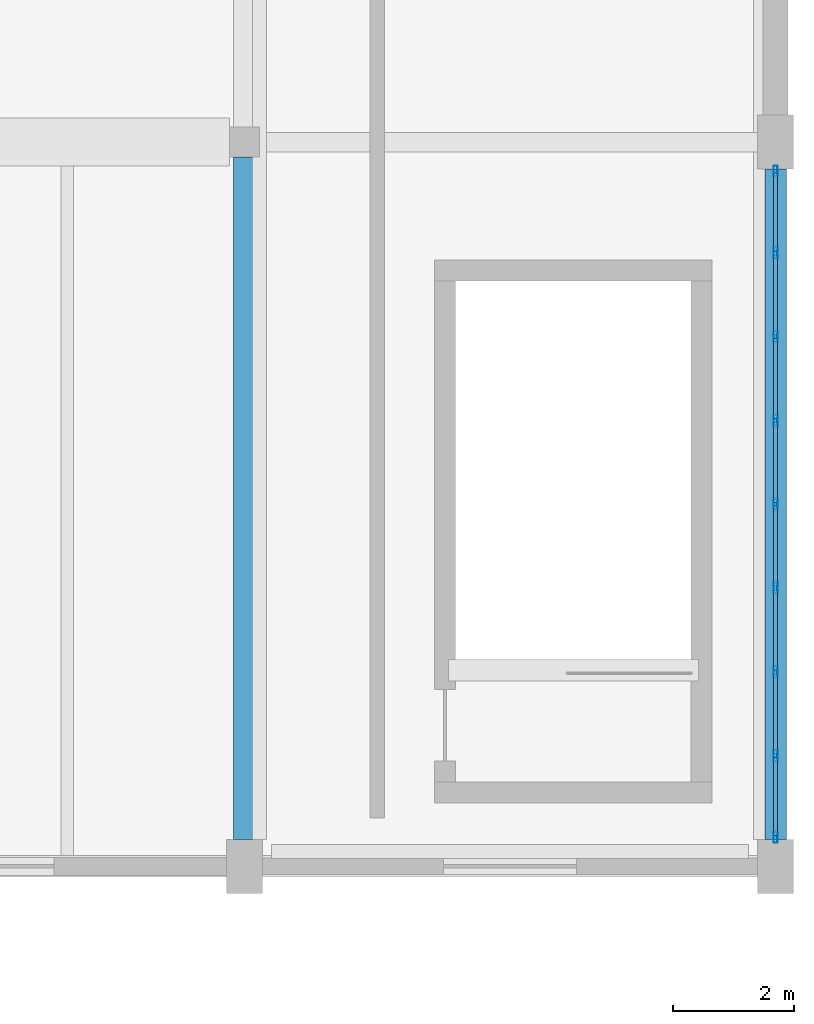
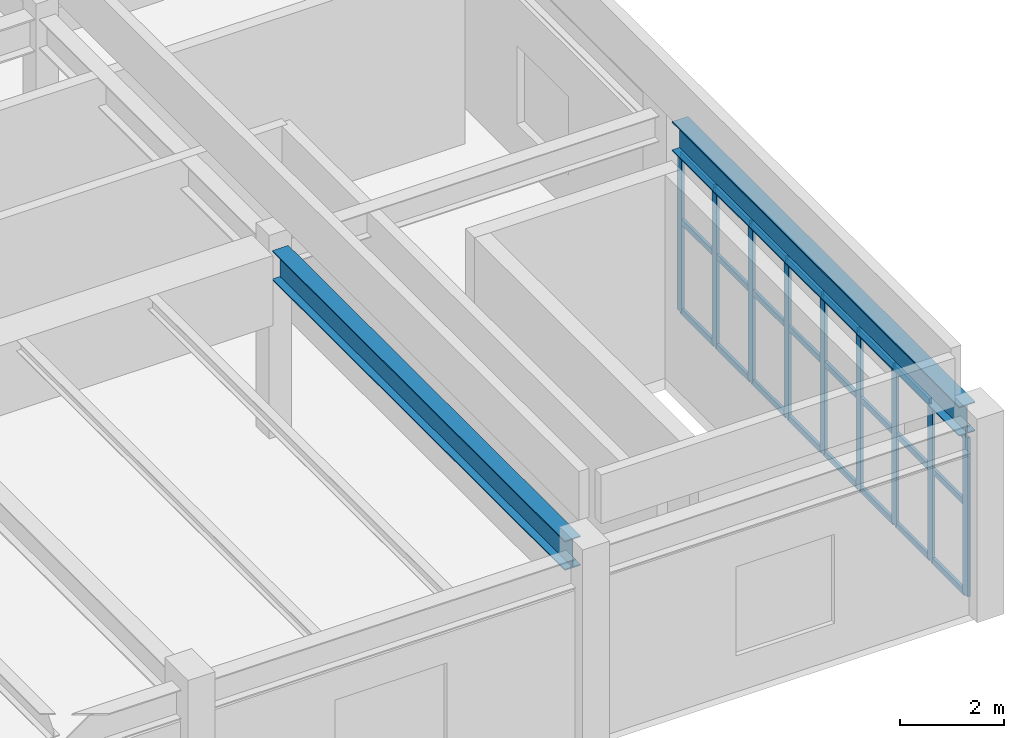
# One storey, part 44 of 80: 33 members, 2 beams, 1 element without a shape of its own.
"""IFC4 building model written with IfcOpenShell, lengths in metres."""

from ifc_helpers import new_model, si_unit, direction, frame, origin, origin_2d, place, context, subcontext, project, spatial, hollow_rectangle, i_section, extrude, material, layer, layer_set, material_profile, profile_set, type_object, element, aggregate, save


model = new_model("IFC4")

# Units and contexts
model_context = context("Model", 3, precision=1e-05, world=origin(), true_north=direction((0.0, 1.0)))
body_context = subcontext(model_context, "Body", "Model", "MODEL_VIEW")
ifc_project = project(units=[si_unit("LENGTHUNIT", "METRE"), si_unit("AREAUNIT", "SQUARE_METRE"), si_unit("VOLUMEUNIT", "CUBIC_METRE"), si_unit("PLANEANGLEUNIT", "RADIAN"), si_unit("MASSUNIT", "GRAM", prefix="KILO")], contexts=[model_context])

# Site, building, storey
site_placement = place(None, origin())
site = spatial("IfcSite", under=ifc_project, at=site_placement, CompositionType="ELEMENT")
building_placement = place(site_placement, origin())
building = spatial("IfcBuilding", under=site, at=building_placement, Name="Vaelkrest Opera House", CompositionType="ELEMENT")
storey_placement = place(building_placement, frame((0.0, 0.0, 15.0)))
storey = spatial("IfcBuildingStorey", under=building, at=storey_placement, Name="L03", CompositionType="ELEMENT", Elevation=15.0)

# Beam
ifc_material_1 = material(Name="Steel A992 Gr50", Category="steel")
ifc_material_profile_1 = material_profile(ifc_material_1, i_section(OverallWidth=0.35498046875, OverallDepth=0.695068359375, WebThickness=0.015380859375, FlangeThickness=0.02490234375, at=origin_2d()), Name="W27X146")
ifc_profile_set_1 = profile_set([ifc_material_profile_1], Name="Steel A992 Gr50")
beam_type_1 = type_object("IfcBeamType", Name="B10", PredefinedType="BEAM", material=ifc_profile_set_1)
beam_1_placement = place(storey_placement, frame((68.800048828125, -19.35009765625, 4.072509765625), z_axis=(0.0, 1.0, 0.0), x_axis=(-1.0, 0.0, 0.0)))
element("IfcBeam", 1, at=beam_1_placement, inside=storey, type_object=beam_type_1, Name="Beam BM-V4-L03-2377", PredefinedType="BEAM", context=body_context, shape_type="SweptSolid", body=[
    extrude(i_section(OverallWidth=0.35498046875, OverallDepth=0.695068359375, WebThickness=0.015380859375, FlangeThickness=0.02490234375, at=origin_2d()), origin(), (0.0, 0.0, 1.0), 11.300048828125),
])

# Curtain wall, members
ifc_material_2 = material(Name="Dark bronze anodized aluminium", Category="aluminium")
ifc_layer = layer(ifc_material_2, 0.179931640625)
ifc_layer_set = layer_set([ifc_layer], Name="Dark bronze anodized aluminium")
curtain_wall_type = type_object("IfcCurtainWallType", Name="CW01", PredefinedType="NOTDEFINED", material=ifc_layer_set)
curtain_wall_placement = place(storey_placement, origin())
curtain_wall = element("IfcCurtainWall", 2, at=curtain_wall_placement, inside=storey, type_object=curtain_wall_type, Name="Curtain wall CW-L03-169", PredefinedType="NOTDEFINED")
ifc_material_profile_2 = material_profile(ifc_material_2, hollow_rectangle(XDim=0.06494140625, YDim=0.179931640625, WallThickness=0.00390625, at=origin_2d()), Name="CWM65X180")
ifc_profile_set_2 = profile_set([ifc_material_profile_2], Name="Dark bronze anodized aluminium")
member_type_1 = type_object("IfcMemberType", Name="CWM01", PredefinedType="MULLION", material=ifc_profile_set_2)
member_1_placement = place(storey_placement, frame((77.60009765625, -8.280517578125, 0.0), z_axis=(0.0, 0.0, 1.0), x_axis=(1.0, 0.0, 0.0)))
member_1 = element("IfcMember", 3, at=member_1_placement, type_object=member_type_1, Name="CW01 mullion 1", PredefinedType="MULLION", context=body_context, shape_type="SweptSolid", body=[
    extrude(hollow_rectangle(XDim=0.06494140625, YDim=0.179931640625, WallThickness=0.00390625, at=origin_2d()), origin(), (0.0, 0.0, 1.0), 3.7451171875),
])
member_2_placement = place(storey_placement, frame((77.60009765625, -9.635986328125, 0.0), z_axis=(0.0, 0.0, 1.0), x_axis=(1.0, 0.0, 0.0)))
member_2 = element("IfcMember", 4, at=member_2_placement, type_object=member_type_1, Name="CW01 mullion 2", PredefinedType="MULLION", context=body_context, shape_type="SweptSolid", body=[
    extrude(hollow_rectangle(XDim=0.06494140625, YDim=0.179931640625, WallThickness=0.00390625, at=origin_2d()), origin(), (0.0, 0.0, 1.0), 3.7451171875),
])
member_3_placement = place(storey_placement, frame((77.60009765625, -11.02392578125, 0.0), z_axis=(0.0, 0.0, 1.0), x_axis=(1.0, 0.0, 0.0)))
member_3 = element("IfcMember", 5, at=member_3_placement, type_object=member_type_1, Name="CW01 mullion 3", PredefinedType="MULLION", context=body_context, shape_type="SweptSolid", body=[
    extrude(hollow_rectangle(XDim=0.06494140625, YDim=0.179931640625, WallThickness=0.00390625, at=origin_2d()), origin(), (0.0, 0.0, 1.0), 3.7451171875),
])
member_4_placement = place(storey_placement, frame((77.60009765625, -12.412109375, 0.0), z_axis=(0.0, 0.0, 1.0), x_axis=(1.0, 0.0, 0.0)))
member_4 = element("IfcMember", 6, at=member_4_placement, type_object=member_type_1, Name="CW01 mullion 4", PredefinedType="MULLION", context=body_context, shape_type="SweptSolid", body=[
    extrude(hollow_rectangle(XDim=0.06494140625, YDim=0.179931640625, WallThickness=0.00390625, at=origin_2d()), origin(), (0.0, 0.0, 1.0), 3.7451171875),
])
member_5_placement = place(storey_placement, frame((77.60009765625, -13.800048828125, 0.0), z_axis=(0.0, 0.0, 1.0), x_axis=(1.0, 0.0, 0.0)))
member_5 = element("IfcMember", 7, at=member_5_placement, type_object=member_type_1, Name="CW01 mullion 5", PredefinedType="MULLION", context=body_context, shape_type="SweptSolid", body=[
    extrude(hollow_rectangle(XDim=0.06494140625, YDim=0.179931640625, WallThickness=0.00390625, at=origin_2d()), origin(), (0.0, 0.0, 1.0), 3.7451171875),
])
member_6_placement = place(storey_placement, frame((77.60009765625, -15.18798828125, 0.0), z_axis=(0.0, 0.0, 1.0), x_axis=(1.0, 0.0, 0.0)))
member_6 = element("IfcMember", 8, at=member_6_placement, type_object=member_type_1, Name="CW01 mullion 6", PredefinedType="MULLION", context=body_context, shape_type="SweptSolid", body=[
    extrude(hollow_rectangle(XDim=0.06494140625, YDim=0.179931640625, WallThickness=0.00390625, at=origin_2d()), origin(), (0.0, 0.0, 1.0), 3.7451171875),
])
member_7_placement = place(storey_placement, frame((77.60009765625, -16.575927734375, 0.0), z_axis=(0.0, 0.0, 1.0), x_axis=(1.0, 0.0, 0.0)))
member_7 = element("IfcMember", 9, at=member_7_placement, type_object=member_type_1, Name="CW01 mullion 7", PredefinedType="MULLION", context=body_context, shape_type="SweptSolid", body=[
    extrude(hollow_rectangle(XDim=0.06494140625, YDim=0.179931640625, WallThickness=0.00390625, at=origin_2d()), origin(), (0.0, 0.0, 1.0), 3.7451171875),
])
member_8_placement = place(storey_placement, frame((77.60009765625, -17.964111328125, 0.0), z_axis=(0.0, 0.0, 1.0), x_axis=(1.0, 0.0, 0.0)))
member_8 = element("IfcMember", 10, at=member_8_placement, type_object=member_type_1, Name="CW01 mullion 8", PredefinedType="MULLION", context=body_context, shape_type="SweptSolid", body=[
    extrude(hollow_rectangle(XDim=0.06494140625, YDim=0.179931640625, WallThickness=0.00390625, at=origin_2d()), origin(), (0.0, 0.0, 1.0), 3.7451171875),
])
member_9_placement = place(storey_placement, frame((77.60009765625, -19.319580078125, 0.0), z_axis=(0.0, 0.0, 1.0), x_axis=(1.0, 0.0, 0.0)))
member_9 = element("IfcMember", 11, at=member_9_placement, type_object=member_type_1, Name="CW01 mullion 9", PredefinedType="MULLION", context=body_context, shape_type="SweptSolid", body=[
    extrude(hollow_rectangle(XDim=0.06494140625, YDim=0.179931640625, WallThickness=0.00390625, at=origin_2d()), origin(), (0.0, 0.0, 1.0), 3.7451171875),
])
ifc_material_profile_3 = material_profile(ifc_material_2, hollow_rectangle(XDim=0.06494140625, YDim=0.139892578125, WallThickness=0.00390625, at=origin_2d()), Name="CWT65X140")
ifc_profile_set_3 = profile_set([ifc_material_profile_3], Name="Dark bronze anodized aluminium")
member_type_2 = type_object("IfcMemberType", Name="CWT01", PredefinedType="USERDEFINED", material=ifc_profile_set_3)
member_10_placement = place(storey_placement, frame((77.60009765625, -8.31298828125, 0.032470703125), z_axis=(0.0, -1.0, 0.0), x_axis=(1.0, 0.0, 0.0)))
member_10 = element("IfcMember", 12, at=member_10_placement, type_object=member_type_2, Name="CW01 transom 1.1", ObjectType="TRANSOM", PredefinedType="USERDEFINED", context=body_context, shape_type="SweptSolid", body=[
    extrude(hollow_rectangle(XDim=0.06494140625, YDim=0.139892578125, WallThickness=0.00390625, at=origin_2d()), origin(), (0.0, 0.0, 1.0), 1.29052734375),
])
member_11_placement = place(storey_placement, frame((77.60009765625, -8.31298828125, 2.14990234375), z_axis=(0.0, -1.0, 0.0), x_axis=(1.0, 0.0, 0.0)))
member_11 = element("IfcMember", 13, at=member_11_placement, type_object=member_type_2, Name="CW01 transom 1.2", ObjectType="TRANSOM", PredefinedType="USERDEFINED", context=body_context, shape_type="SweptSolid", body=[
    extrude(hollow_rectangle(XDim=0.06494140625, YDim=0.139892578125, WallThickness=0.00390625, at=origin_2d()), origin(), (0.0, 0.0, 1.0), 1.29052734375),
])
member_12_placement = place(storey_placement, frame((77.60009765625, -8.31298828125, 3.71240234375), z_axis=(0.0, -1.0, 0.0), x_axis=(1.0, 0.0, 0.0)))
member_12 = element("IfcMember", 14, at=member_12_placement, type_object=member_type_2, Name="CW01 transom 1.3", ObjectType="TRANSOM", PredefinedType="USERDEFINED", context=body_context, shape_type="SweptSolid", body=[
    extrude(hollow_rectangle(XDim=0.06494140625, YDim=0.139892578125, WallThickness=0.00390625, at=origin_2d()), origin(), (0.0, 0.0, 1.0), 1.29052734375),
])
member_13_placement = place(storey_placement, frame((77.60009765625, -9.66845703125, 0.032470703125), z_axis=(0.0, -1.0, 0.0), x_axis=(1.0, 0.0, 0.0)))
member_13 = element("IfcMember", 15, at=member_13_placement, type_object=member_type_2, Name="CW01 transom 2.1", ObjectType="TRANSOM", PredefinedType="USERDEFINED", context=body_context, shape_type="SweptSolid", body=[
    extrude(hollow_rectangle(XDim=0.06494140625, YDim=0.139892578125, WallThickness=0.00390625, at=origin_2d()), origin(), (0.0, 0.0, 1.0), 1.322998046875),
])
member_14_placement = place(storey_placement, frame((77.60009765625, -9.66845703125, 2.14990234375), z_axis=(0.0, -1.0, 0.0), x_axis=(1.0, 0.0, 0.0)))
member_14 = element("IfcMember", 16, at=member_14_placement, type_object=member_type_2, Name="CW01 transom 2.2", ObjectType="TRANSOM", PredefinedType="USERDEFINED", context=body_context, shape_type="SweptSolid", body=[
    extrude(hollow_rectangle(XDim=0.06494140625, YDim=0.139892578125, WallThickness=0.00390625, at=origin_2d()), origin(), (0.0, 0.0, 1.0), 1.322998046875),
])
member_15_placement = place(storey_placement, frame((77.60009765625, -9.66845703125, 3.71240234375), z_axis=(0.0, -1.0, 0.0), x_axis=(1.0, 0.0, 0.0)))
member_15 = element("IfcMember", 17, at=member_15_placement, type_object=member_type_2, Name="CW01 transom 2.3", ObjectType="TRANSOM", PredefinedType="USERDEFINED", context=body_context, shape_type="SweptSolid", body=[
    extrude(hollow_rectangle(XDim=0.06494140625, YDim=0.139892578125, WallThickness=0.00390625, at=origin_2d()), origin(), (0.0, 0.0, 1.0), 1.322998046875),
])
member_16_placement = place(storey_placement, frame((77.60009765625, -11.056396484375, 0.032470703125), z_axis=(0.0, -1.0, 0.0), x_axis=(1.0, 0.0, 0.0)))
member_16 = element("IfcMember", 18, at=member_16_placement, type_object=member_type_2, Name="CW01 transom 3.1", ObjectType="TRANSOM", PredefinedType="USERDEFINED", context=body_context, shape_type="SweptSolid", body=[
    extrude(hollow_rectangle(XDim=0.06494140625, YDim=0.139892578125, WallThickness=0.00390625, at=origin_2d()), origin(), (0.0, 0.0, 1.0), 1.322998046875),
])
member_17_placement = place(storey_placement, frame((77.60009765625, -11.056396484375, 2.14990234375), z_axis=(0.0, -1.0, 0.0), x_axis=(1.0, 0.0, 0.0)))
member_17 = element("IfcMember", 19, at=member_17_placement, type_object=member_type_2, Name="CW01 transom 3.2", ObjectType="TRANSOM", PredefinedType="USERDEFINED", context=body_context, shape_type="SweptSolid", body=[
    extrude(hollow_rectangle(XDim=0.06494140625, YDim=0.139892578125, WallThickness=0.00390625, at=origin_2d()), origin(), (0.0, 0.0, 1.0), 1.322998046875),
])
member_18_placement = place(storey_placement, frame((77.60009765625, -11.056396484375, 3.71240234375), z_axis=(0.0, -1.0, 0.0), x_axis=(1.0, 0.0, 0.0)))
member_18 = element("IfcMember", 20, at=member_18_placement, type_object=member_type_2, Name="CW01 transom 3.3", ObjectType="TRANSOM", PredefinedType="USERDEFINED", context=body_context, shape_type="SweptSolid", body=[
    extrude(hollow_rectangle(XDim=0.06494140625, YDim=0.139892578125, WallThickness=0.00390625, at=origin_2d()), origin(), (0.0, 0.0, 1.0), 1.322998046875),
])
member_19_placement = place(storey_placement, frame((77.60009765625, -12.444580078125, 0.032470703125), z_axis=(0.0, -1.0, 0.0), x_axis=(1.0, 0.0, 0.0)))
member_19 = element("IfcMember", 21, at=member_19_placement, type_object=member_type_2, Name="CW01 transom 4.1", ObjectType="TRANSOM", PredefinedType="USERDEFINED", context=body_context, shape_type="SweptSolid", body=[
    extrude(hollow_rectangle(XDim=0.06494140625, YDim=0.139892578125, WallThickness=0.00390625, at=origin_2d()), origin(), (0.0, 0.0, 1.0), 1.322998046875),
])
member_20_placement = place(storey_placement, frame((77.60009765625, -12.444580078125, 2.14990234375), z_axis=(0.0, -1.0, 0.0), x_axis=(1.0, 0.0, 0.0)))
member_20 = element("IfcMember", 22, at=member_20_placement, type_object=member_type_2, Name="CW01 transom 4.2", ObjectType="TRANSOM", PredefinedType="USERDEFINED", context=body_context, shape_type="SweptSolid", body=[
    extrude(hollow_rectangle(XDim=0.06494140625, YDim=0.139892578125, WallThickness=0.00390625, at=origin_2d()), origin(), (0.0, 0.0, 1.0), 1.322998046875),
])
member_21_placement = place(storey_placement, frame((77.60009765625, -12.444580078125, 3.71240234375), z_axis=(0.0, -1.0, 0.0), x_axis=(1.0, 0.0, 0.0)))
member_21 = element("IfcMember", 23, at=member_21_placement, type_object=member_type_2, Name="CW01 transom 4.3", ObjectType="TRANSOM", PredefinedType="USERDEFINED", context=body_context, shape_type="SweptSolid", body=[
    extrude(hollow_rectangle(XDim=0.06494140625, YDim=0.139892578125, WallThickness=0.00390625, at=origin_2d()), origin(), (0.0, 0.0, 1.0), 1.322998046875),
])
member_22_placement = place(storey_placement, frame((77.60009765625, -13.83251953125, 0.032470703125), z_axis=(0.0, -1.0, 0.0), x_axis=(1.0, 0.0, 0.0)))
member_22 = element("IfcMember", 24, at=member_22_placement, type_object=member_type_2, Name="CW01 transom 5.1", ObjectType="TRANSOM", PredefinedType="USERDEFINED", context=body_context, shape_type="SweptSolid", body=[
    extrude(hollow_rectangle(XDim=0.06494140625, YDim=0.139892578125, WallThickness=0.00390625, at=origin_2d()), origin(), (0.0, 0.0, 1.0), 1.322998046875),
])
member_23_placement = place(storey_placement, frame((77.60009765625, -13.83251953125, 2.14990234375), z_axis=(0.0, -1.0, 0.0), x_axis=(1.0, 0.0, 0.0)))
member_23 = element("IfcMember", 25, at=member_23_placement, type_object=member_type_2, Name="CW01 transom 5.2", ObjectType="TRANSOM", PredefinedType="USERDEFINED", context=body_context, shape_type="SweptSolid", body=[
    extrude(hollow_rectangle(XDim=0.06494140625, YDim=0.139892578125, WallThickness=0.00390625, at=origin_2d()), origin(), (0.0, 0.0, 1.0), 1.322998046875),
])
member_24_placement = place(storey_placement, frame((77.60009765625, -13.83251953125, 3.71240234375), z_axis=(0.0, -1.0, 0.0), x_axis=(1.0, 0.0, 0.0)))
member_24 = element("IfcMember", 26, at=member_24_placement, type_object=member_type_2, Name="CW01 transom 5.3", ObjectType="TRANSOM", PredefinedType="USERDEFINED", context=body_context, shape_type="SweptSolid", body=[
    extrude(hollow_rectangle(XDim=0.06494140625, YDim=0.139892578125, WallThickness=0.00390625, at=origin_2d()), origin(), (0.0, 0.0, 1.0), 1.322998046875),
])
member_25_placement = place(storey_placement, frame((77.60009765625, -15.220458984375, 0.032470703125), z_axis=(0.0, -1.0, 0.0), x_axis=(1.0, 0.0, 0.0)))
member_25 = element("IfcMember", 27, at=member_25_placement, type_object=member_type_2, Name="CW01 transom 6.1", ObjectType="TRANSOM", PredefinedType="USERDEFINED", context=body_context, shape_type="SweptSolid", body=[
    extrude(hollow_rectangle(XDim=0.06494140625, YDim=0.139892578125, WallThickness=0.00390625, at=origin_2d()), origin(), (0.0, 0.0, 1.0), 1.322998046875),
])
member_26_placement = place(storey_placement, frame((77.60009765625, -15.220458984375, 2.14990234375), z_axis=(0.0, -1.0, 0.0), x_axis=(1.0, 0.0, 0.0)))
member_26 = element("IfcMember", 28, at=member_26_placement, type_object=member_type_2, Name="CW01 transom 6.2", ObjectType="TRANSOM", PredefinedType="USERDEFINED", context=body_context, shape_type="SweptSolid", body=[
    extrude(hollow_rectangle(XDim=0.06494140625, YDim=0.139892578125, WallThickness=0.00390625, at=origin_2d()), origin(), (0.0, 0.0, 1.0), 1.322998046875),
])
member_27_placement = place(storey_placement, frame((77.60009765625, -15.220458984375, 3.71240234375), z_axis=(0.0, -1.0, 0.0), x_axis=(1.0, 0.0, 0.0)))
member_27 = element("IfcMember", 29, at=member_27_placement, type_object=member_type_2, Name="CW01 transom 6.3", ObjectType="TRANSOM", PredefinedType="USERDEFINED", context=body_context, shape_type="SweptSolid", body=[
    extrude(hollow_rectangle(XDim=0.06494140625, YDim=0.139892578125, WallThickness=0.00390625, at=origin_2d()), origin(), (0.0, 0.0, 1.0), 1.322998046875),
])
member_28_placement = place(storey_placement, frame((77.60009765625, -16.6083984375, 0.032470703125), z_axis=(0.0, -1.0, 0.0), x_axis=(1.0, 0.0, 0.0)))
member_28 = element("IfcMember", 30, at=member_28_placement, type_object=member_type_2, Name="CW01 transom 7.1", ObjectType="TRANSOM", PredefinedType="USERDEFINED", context=body_context, shape_type="SweptSolid", body=[
    extrude(hollow_rectangle(XDim=0.06494140625, YDim=0.139892578125, WallThickness=0.00390625, at=origin_2d()), origin(), (0.0, 0.0, 1.0), 1.322998046875),
])
member_29_placement = place(storey_placement, frame((77.60009765625, -16.6083984375, 2.14990234375), z_axis=(0.0, -1.0, 0.0), x_axis=(1.0, 0.0, 0.0)))
member_29 = element("IfcMember", 31, at=member_29_placement, type_object=member_type_2, Name="CW01 transom 7.2", ObjectType="TRANSOM", PredefinedType="USERDEFINED", context=body_context, shape_type="SweptSolid", body=[
    extrude(hollow_rectangle(XDim=0.06494140625, YDim=0.139892578125, WallThickness=0.00390625, at=origin_2d()), origin(), (0.0, 0.0, 1.0), 1.322998046875),
])
member_30_placement = place(storey_placement, frame((77.60009765625, -16.6083984375, 3.71240234375), z_axis=(0.0, -1.0, 0.0), x_axis=(1.0, 0.0, 0.0)))
member_30 = element("IfcMember", 32, at=member_30_placement, type_object=member_type_2, Name="CW01 transom 7.3", ObjectType="TRANSOM", PredefinedType="USERDEFINED", context=body_context, shape_type="SweptSolid", body=[
    extrude(hollow_rectangle(XDim=0.06494140625, YDim=0.139892578125, WallThickness=0.00390625, at=origin_2d()), origin(), (0.0, 0.0, 1.0), 1.322998046875),
])
member_31_placement = place(storey_placement, frame((77.60009765625, -17.99658203125, 0.032470703125), z_axis=(0.0, -1.0, 0.0), x_axis=(1.0, 0.0, 0.0)))
member_31 = element("IfcMember", 33, at=member_31_placement, type_object=member_type_2, Name="CW01 transom 8.1", ObjectType="TRANSOM", PredefinedType="USERDEFINED", context=body_context, shape_type="SweptSolid", body=[
    extrude(hollow_rectangle(XDim=0.06494140625, YDim=0.139892578125, WallThickness=0.00390625, at=origin_2d()), origin(), (0.0, 0.0, 1.0), 1.29052734375),
])
member_32_placement = place(storey_placement, frame((77.60009765625, -17.99658203125, 2.14990234375), z_axis=(0.0, -1.0, 0.0), x_axis=(1.0, 0.0, 0.0)))
member_32 = element("IfcMember", 34, at=member_32_placement, type_object=member_type_2, Name="CW01 transom 8.2", ObjectType="TRANSOM", PredefinedType="USERDEFINED", context=body_context, shape_type="SweptSolid", body=[
    extrude(hollow_rectangle(XDim=0.06494140625, YDim=0.139892578125, WallThickness=0.00390625, at=origin_2d()), origin(), (0.0, 0.0, 1.0), 1.29052734375),
])
member_33_placement = place(storey_placement, frame((77.60009765625, -17.99658203125, 3.71240234375), z_axis=(0.0, -1.0, 0.0), x_axis=(1.0, 0.0, 0.0)))
member_33 = element("IfcMember", 35, at=member_33_placement, type_object=member_type_2, Name="CW01 transom 8.3", ObjectType="TRANSOM", PredefinedType="USERDEFINED", context=body_context, shape_type="SweptSolid", body=[
    extrude(hollow_rectangle(XDim=0.06494140625, YDim=0.139892578125, WallThickness=0.00390625, at=origin_2d()), origin(), (0.0, 0.0, 1.0), 1.29052734375),
])
aggregate(curtain_wall, [member_1, member_2, member_3, member_4, member_5, member_6, member_7, member_8, member_9, member_10, member_11, member_12, member_13, member_14, member_15, member_16, member_17, member_18, member_19, member_20, member_21, member_22, member_23, member_24, member_25, member_26, member_27, member_28, member_29, member_30, member_31, member_32, member_33])

# Beam
ifc_material_profile_4 = material_profile(ifc_material_1, i_section(OverallWidth=0.35498046875, OverallDepth=0.695068359375, WebThickness=0.015380859375, FlangeThickness=0.02490234375, at=origin_2d()), Name="W27X146")
ifc_profile_set_4 = profile_set([ifc_material_profile_4], Name="Steel A992 Gr50")
beam_type_2 = type_object("IfcBeamType", Name="SP02", PredefinedType="SPANDREL", material=ifc_profile_set_4)
beam_2_placement = place(storey_placement, frame((77.60009765625, -19.35009765625, 4.157470703125), z_axis=(0.0, 1.0, 0.0), x_axis=(-1.0, 0.0, 0.0)))
element("IfcBeam", 36, at=beam_2_placement, inside=storey, type_object=beam_type_2, Name="Beam BM-V4-L03-2382", PredefinedType="SPANDREL", context=body_context, shape_type="SweptSolid", body=[
    extrude(i_section(OverallWidth=0.35498046875, OverallDepth=0.695068359375, WebThickness=0.015380859375, FlangeThickness=0.02490234375, at=origin_2d()), origin(), (0.0, 0.0, 1.0), 11.10009765625),
])

save(model, "model.ifc")
